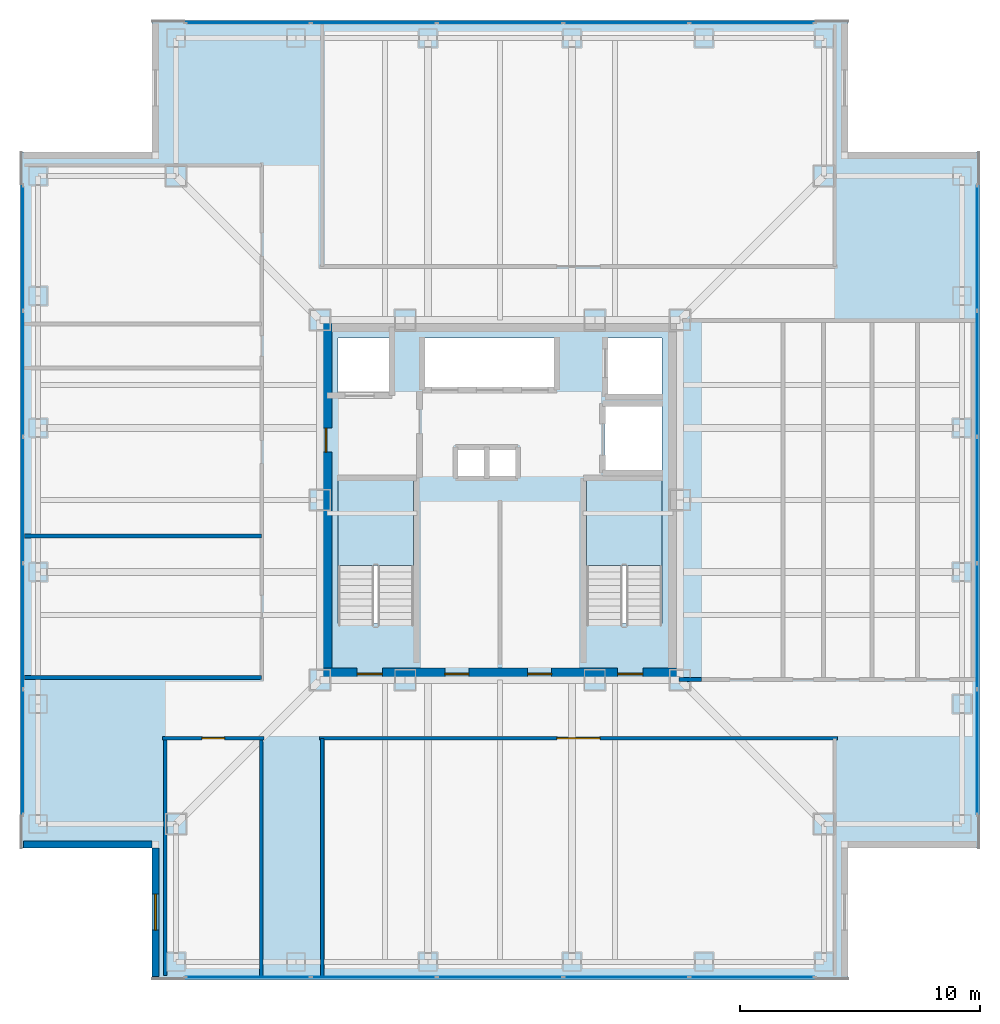
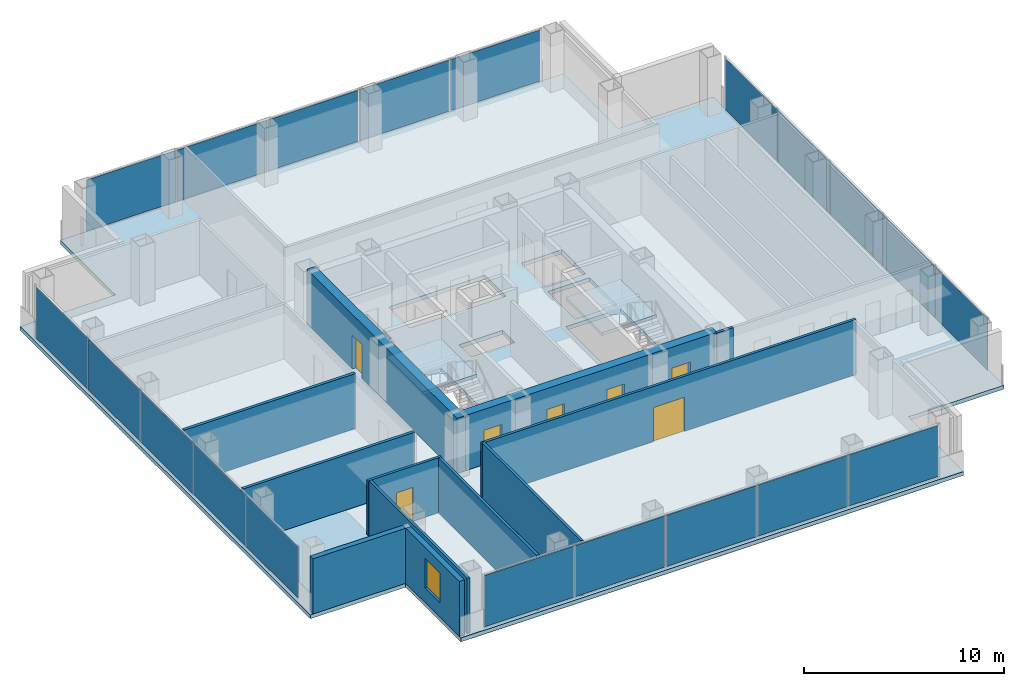
# One storey, part 9 of 17: 20 plates, 12 walls, 7 doors, 3 slabs, 1 window, 8 openings, 6 elements without a shape of their own.
"""IFC4 building model written with IfcOpenShell, lengths in metres."""

import ifcopenshell
import ifcopenshell.guid

model = None  # the IFC model being written
_history = None  # IfcOwnerHistory: only IFC2X3 demands one
_inside = {}  # id of a spatial element -> (the spatial element, [elements in it])
_under = {}  # id of a project, library or spatial element -> (it, [spatial elements below it])
_declared = {}  # id of a project -> (the project, [libraries it declares])
_typed = {}  # id of a type object -> (the type object, [elements of that type])
_made_of = {}  # id of a material, layer set ... -> (it, [elements and type objects made of it])


def new_model(schema):
    """Start an empty IFC model of exactly this schema.

    Asked for "IFC4X3", IfcOpenShell would pick the latest addendum, in which some entities
    have other attributes; the version numbers below select the first issue.
    IFC2X3 requires an IfcOwnerHistory on every rooted entity: one is made here for all.
    """
    global model, _history
    if schema == "IFC4X3":
        model = ifcopenshell.file(schema_version=(4, 3, 0, 0))
    else:
        model = ifcopenshell.file(schema=schema)
    _inside.clear()
    _under.clear()
    _declared.clear()
    _typed.clear()
    _made_of.clear()
    _history = None
    if model.schema == "IFC2X3":
        org = make("IfcOrganization", Name="unknown")
        user = make(
            "IfcPersonAndOrganization",
            ThePerson=make("IfcPerson", FamilyName="unknown"),
            TheOrganization=org,
        )
        app = make(
            "IfcApplication",
            ApplicationDeveloper=org,
            Version="unknown",
            ApplicationFullName="unknown",
            ApplicationIdentifier="unknown",
        )
        _history = make(
            "IfcOwnerHistory",
            OwningUser=user,
            OwningApplication=app,
            ChangeAction="ADDED",
            CreationDate=0,
        )
    return model


def make(cls, **values):
    """One entity of the class cls with the attributes given. An attribute that is None is left unset."""
    return model.create_entity(
        cls, **{name: value for name, value in values.items() if value is not None}
    )


def rooted(cls, **values):
    """An entity with a GlobalId (a new one), such as an element, a storey or a relation."""
    return make(cls, GlobalId=ifcopenshell.guid.new(), OwnerHistory=_history, **values)


def si_unit(unit_type, name, prefix=None):
    """IfcSIUnit, for example si_unit("LENGTHUNIT", "METRE", prefix="MILLI")."""
    return make("IfcSIUnit", UnitType=unit_type, Prefix=prefix, Name=name)


def assignment(units):
    """IfcUnitAssignment: the units of a project."""
    return None if units is None else make("IfcUnitAssignment", Units=units)


def point(xyz):
    """IfcCartesianPoint."""
    return None if xyz is None else make("IfcCartesianPoint", Coordinates=xyz)


def direction(xyz):
    """IfcDirection."""
    return None if xyz is None else make("IfcDirection", DirectionRatios=xyz)


def frame(location, z_axis=None, x_axis=None):
    """IfcAxis2Placement3D, a coordinate frame: its origin and axes. An axis left out is left unset."""
    return make(
        "IfcAxis2Placement3D",
        Location=point(location),
        Axis=direction(z_axis),
        RefDirection=direction(x_axis),
    )


def frame_2d(location, x_axis=None):
    """IfcAxis2Placement2D, a coordinate frame in the plane: its origin and x axis."""
    return make(
        "IfcAxis2Placement2D", Location=point(location), RefDirection=direction(x_axis)
    )


def origin():
    """The frame at (0, 0, 0) with its axes left unset."""
    return frame((0.0, 0.0, 0.0))


def origin_2d():
    """The frame at (0, 0) in the plane with its x axis left unset."""
    return frame_2d((0.0, 0.0))


def place(relative_to, where):
    """IfcLocalPlacement: puts the frame where relative to a parent placement (None: the world)."""
    return make(
        "IfcLocalPlacement", PlacementRelTo=relative_to, RelativePlacement=where
    )


def context(
    kind, dimensions, precision=None, world=None, true_north=None, identifier=None
):
    """IfcGeometricRepresentationContext, for example the 3D "Model" context."""
    return make(
        "IfcGeometricRepresentationContext",
        ContextIdentifier=identifier,
        ContextType=kind,
        CoordinateSpaceDimension=dimensions,
        Precision=precision,
        WorldCoordinateSystem=world,
        TrueNorth=true_north,
    )


def subcontext(parent, identifier, kind, view, scale=None):
    """IfcGeometricRepresentationSubContext, for example "Body" below "Model"."""
    return make(
        "IfcGeometricRepresentationSubContext",
        ContextIdentifier=identifier,
        ContextType=kind,
        ParentContext=parent,
        TargetScale=scale,
        TargetView=view,
    )


def project(units=None, contexts=None):
    """IfcProject with its units and contexts."""
    return rooted(
        "IfcProject",
        Name="project",
        RepresentationContexts=contexts,
        UnitsInContext=assignment(units),
    )


def spatial(cls, under=None, at=None, **own):
    """A site, building, storey or space (cls), placed at a placement, below another one or the project."""
    s = rooted(cls, ObjectPlacement=at, **own)
    if under is not None:
        _under.setdefault(under.id(), (under, []))[1].append(s)
    return s


def polyline(points):
    """IfcPolyline through the points."""
    return make("IfcPolyline", Points=[point(p) for p in points])


def profile(cls, at=None, kind="AREA", **sizes):
    """A parametric profile (cls). Its sizes go by their IFC names, for example OverallWidth=200.0."""
    return make(cls, ProfileType=kind, Position=at, **sizes)


def rectangle(**sizes):
    """IfcRectangleProfileDef."""
    return profile("IfcRectangleProfileDef", **sizes)


def outline(outer, holes=None, kind="AREA"):
    """IfcArbitraryClosedProfileDef: a profile drawn as a closed curve; with holes, ...WithVoids."""
    if holes is None:
        return make("IfcArbitraryClosedProfileDef", ProfileType=kind, OuterCurve=outer)
    return make(
        "IfcArbitraryProfileDefWithVoids",
        ProfileType=kind,
        OuterCurve=outer,
        InnerCurves=holes,
    )


def extrude(swept, where, along, depth):
    """IfcExtrudedAreaSolid: the profile swept, set in the frame where, extruded along a direction by depth."""
    return make(
        "IfcExtrudedAreaSolid",
        SweptArea=swept,
        Position=where,
        ExtrudedDirection=direction(along),
        Depth=depth,
    )


def shape(context_of_items, identifier, shape_type, items):
    """IfcShapeRepresentation: the items that make up one representation, for example the "Body"."""
    return make(
        "IfcShapeRepresentation",
        ContextOfItems=context_of_items,
        RepresentationIdentifier=identifier,
        RepresentationType=shape_type,
        Items=items,
    )


def material(Name=None, Category=None):
    """IfcMaterial."""
    return make("IfcMaterial", Name=Name, Category=Category)


def layer(
    of_material, thickness, ventilated=None, Name=None, Category=None, Priority=None
):
    """IfcMaterialLayer: one layer of a wall or slab, of a material (None: an air gap)."""
    return make(
        "IfcMaterialLayer",
        Material=of_material,
        LayerThickness=thickness,
        IsVentilated=ventilated,
        Name=Name,
        Category=Category,
        Priority=Priority,
    )


def layer_set(layers, Name=None):
    """IfcMaterialLayerSet."""
    return make("IfcMaterialLayerSet", MaterialLayers=layers, LayerSetName=Name)


def made_of(thing, what):
    """Note that an element or type object is made of a material, layer set ...; save() writes the relation."""
    if what is not None:
        _made_of.setdefault(what.id(), (what, []))[1].append(thing)
    return thing


def type_object(cls, material=None, **own):
    """A type object (cls), such as IfcWallType, which elements share."""
    return made_of(rooted(cls, **own), material)


def element(
    cls,
    number,
    at=None,
    inside=None,
    cuts=None,
    type_object=None,
    material=None,
    context=None,
    identifier="Body",
    shape_type=None,
    held_by="IfcProductDefinitionShape",
    body=None,
    shapes=None,
    **own,
):
    """One element of the class cls, such as IfcWall. Its Tag is "e" and its number.

    at: its placement. inside: the storey or other place that contains it. cuts: it is an
    opening in that element (IfcRelVoidsElement). A single representation is given by context,
    identifier, shape_type and body (its items); several are given by shapes. held_by: the class
    of the entity that holds the representations. save() writes the other relations.
    """
    e = rooted(cls, Tag="e%d" % number, ObjectPlacement=at, **own)
    if body is not None:
        shapes = [shape(context, identifier, shape_type, body)]
    if shapes is not None:
        e.Representation = make(held_by, Representations=shapes)
    if inside is not None:
        _inside.setdefault(inside.id(), (inside, []))[1].append(e)
    if cuts is not None:
        rooted(
            "IfcRelVoidsElement", RelatingBuildingElement=cuts, RelatedOpeningElement=e
        )
    if type_object is not None:
        _typed.setdefault(type_object.id(), (type_object, []))[1].append(e)
    return made_of(e, material)


def fill(opening, filler):
    """IfcRelFillsElement: the door or window that sits in an opening."""
    return rooted(
        "IfcRelFillsElement",
        RelatingOpeningElement=opening,
        RelatedBuildingElement=filler,
    )


def aggregate(whole, parts):
    """IfcRelAggregates: a whole, such as a stair, and the parts it consists of."""
    return rooted("IfcRelAggregates", RelatingObject=whole, RelatedObjects=parts)


def save(model, path):
    """Write the relations noted so far, then the file.

    IfcRelAggregates (storeys below a building ...), IfcRelContainedInSpatialStructure (elements
    in a storey), IfcRelDefinesByType, IfcRelAssociatesMaterial and IfcRelDeclares: one each for
    every whole, place, type object, material and project.
    """
    for whole, parts in _under.values():
        aggregate(whole, parts)
    for where, things in _inside.values():
        rooted(
            "IfcRelContainedInSpatialStructure",
            RelatedElements=things,
            RelatingStructure=where,
        )
    for kind, things in _typed.values():
        rooted("IfcRelDefinesByType", RelatedObjects=things, RelatingType=kind)
    for what, things in _made_of.values():
        rooted("IfcRelAssociatesMaterial", RelatedObjects=things, RelatingMaterial=what)
    for by, libraries in _declared.values():
        rooted("IfcRelDeclares", RelatingContext=by, RelatedDefinitions=libraries)
    model.write(path)


model = new_model("IFC4")

# Units and contexts
model_context = context("Model", 3, precision=1e-05, world=origin(), true_north=direction((0.0, 1.0)))
body_context = subcontext(model_context, "Body", "Model", "MODEL_VIEW")
ifc_project = project(units=[si_unit("LENGTHUNIT", "METRE"), si_unit("AREAUNIT", "SQUARE_METRE"), si_unit("VOLUMEUNIT", "CUBIC_METRE"), si_unit("PLANEANGLEUNIT", "RADIAN"), si_unit("MASSUNIT", "GRAM", prefix="KILO")], contexts=[model_context])

# Site, building, storey
site_placement = place(None, origin())
site = spatial("IfcSite", under=ifc_project, at=site_placement, CompositionType="ELEMENT")
building_placement = place(site_placement, origin())
building = spatial("IfcBuilding", under=site, at=building_placement, Name="Trevonay Congress Spire", CompositionType="ELEMENT")
storey_placement = place(building_placement, frame((0.0, 0.0, 209.39990234375)))
storey = spatial("IfcBuildingStorey", under=building, at=storey_placement, Name="L54", CompositionType="ELEMENT", Elevation=209.39990234375)

# Curtain wall, plates
ifc_material_1 = material(Name="Pale Anodised Aluminium EN AW-6063-T6", Category="aluminium")
ifc_layer_1 = layer(ifc_material_1, 0.169921875, Name="Pale Anodised Aluminium EN AW-6063-T6")
ifc_layer_set_1 = layer_set([ifc_layer_1], Name="Pale Anodised Aluminium EN AW-6063-T6")
curtain_wall_type = type_object("IfcCurtainWallType", Name="CW-SYS04-CORP-PALE-METAL", PredefinedType="NOTDEFINED", material=ifc_layer_set_1)
curtain_wall_1_placement = place(storey_placement, origin())
curtain_wall_1 = element("IfcCurtainWall", 1, at=curtain_wall_1_placement, inside=storey, type_object=curtain_wall_type, Name="L54 S unitised curtain wall", PredefinedType="NOTDEFINED")
ifc_material_2 = material(Name="Insulated Low-E Vision Glass IGU", Category="glass")
ifc_layer_2 = layer(ifc_material_2, 0.035888671875, Name="Insulated Low-E Vision Glass IGU")
ifc_layer_set_2 = layer_set([ifc_layer_2], Name="Insulated Low-E Vision Glass IGU")
plate_type = type_object("IfcPlateType", Name="CW-PANEL-IGU36-SILVER", PredefinedType="CURTAIN_PANEL", material=ifc_layer_set_2)
plate_1_placement = place(storey_placement, frame((-10.5048828125, -19.8798828125, 0.1201171875), z_axis=(0.0, 0.0, 1.0), x_axis=(1.0, 0.0, 0.0)))
plate_1 = element("IfcPlate", 2, at=plate_1_placement, type_object=plate_type, Name="CW04 panel 1.1", PredefinedType="CURTAIN_PANEL", context=body_context, shape_type="SweptSolid", body=[
    extrude(rectangle(XDim=5.169921875, YDim=0.035888671875, at=origin_2d()), origin(), (0.0, 0.0, 1.0), 3.1201171875),
])
plate_2_placement = place(storey_placement, frame((-5.260009765625, -19.8798828125, 0.1201171875), z_axis=(0.0, 0.0, 1.0), x_axis=(1.0, 0.0, 0.0)))
plate_2 = element("IfcPlate", 3, at=plate_2_placement, type_object=plate_type, Name="CW04 panel 2.1", PredefinedType="CURTAIN_PANEL", context=body_context, shape_type="SweptSolid", body=[
    extrude(rectangle(XDim=5.199951171875, YDim=0.035888671875, at=origin_2d()), origin(), (0.0, 0.0, 1.0), 3.1201171875),
])
plate_3_placement = place(storey_placement, frame((0.0, -19.8798828125, 0.1201171875), z_axis=(0.0, 0.0, 1.0), x_axis=(1.0, 0.0, 0.0)))
plate_3 = element("IfcPlate", 4, at=plate_3_placement, type_object=plate_type, Name="CW04 panel 3.1", PredefinedType="CURTAIN_PANEL", context=body_context, shape_type="SweptSolid", body=[
    extrude(rectangle(XDim=5.199951171875, YDim=0.035888671875, at=origin_2d()), origin(), (0.0, 0.0, 1.0), 3.1201171875),
])
plate_4_placement = place(storey_placement, frame((5.260009765625, -19.8798828125, 0.1201171875), z_axis=(0.0, 0.0, 1.0), x_axis=(1.0, 0.0, 0.0)))
plate_4 = element("IfcPlate", 5, at=plate_4_placement, type_object=plate_type, Name="CW04 panel 4.1", PredefinedType="CURTAIN_PANEL", context=body_context, shape_type="SweptSolid", body=[
    extrude(rectangle(XDim=5.199951171875, YDim=0.035888671875, at=origin_2d()), origin(), (0.0, 0.0, 1.0), 3.1201171875),
])
plate_5_placement = place(storey_placement, frame((10.5048828125, -19.8798828125, 0.1201171875), z_axis=(0.0, 0.0, 1.0), x_axis=(1.0, 0.0, 0.0)))
plate_5 = element("IfcPlate", 6, at=plate_5_placement, type_object=plate_type, Name="CW04 panel 5.1", PredefinedType="CURTAIN_PANEL", context=body_context, shape_type="SweptSolid", body=[
    extrude(rectangle(XDim=5.169921875, YDim=0.035888671875, at=origin_2d()), origin(), (0.0, 0.0, 1.0), 3.1201171875),
])
aggregate(curtain_wall_1, [plate_1, plate_2, plate_3, plate_4, plate_5])

curtain_wall_2_placement = place(storey_placement, origin())
curtain_wall_2 = element("IfcCurtainWall", 7, at=curtain_wall_2_placement, inside=storey, type_object=curtain_wall_type, Name="L54 N unitised curtain wall", PredefinedType="NOTDEFINED")
plate_6_placement = place(storey_placement, frame((-10.5048828125, 19.8798828125, 0.1201171875), z_axis=(0.0, 0.0, 1.0), x_axis=(1.0, 0.0, 0.0)))
plate_6 = element("IfcPlate", 8, at=plate_6_placement, type_object=plate_type, Name="CW04 panel 1.1", PredefinedType="CURTAIN_PANEL", context=body_context, shape_type="SweptSolid", body=[
    extrude(rectangle(XDim=5.169921875, YDim=0.035888671875, at=origin_2d()), origin(), (0.0, 0.0, 1.0), 3.1201171875),
])
plate_7_placement = place(storey_placement, frame((-5.260009765625, 19.8798828125, 0.1201171875), z_axis=(0.0, 0.0, 1.0), x_axis=(1.0, 0.0, 0.0)))
plate_7 = element("IfcPlate", 9, at=plate_7_placement, type_object=plate_type, Name="CW04 panel 2.1", PredefinedType="CURTAIN_PANEL", context=body_context, shape_type="SweptSolid", body=[
    extrude(rectangle(XDim=5.199951171875, YDim=0.035888671875, at=origin_2d()), origin(), (0.0, 0.0, 1.0), 3.1201171875),
])
plate_8_placement = place(storey_placement, frame((0.0, 19.8798828125, 0.1201171875), z_axis=(0.0, 0.0, 1.0), x_axis=(1.0, 0.0, 0.0)))
plate_8 = element("IfcPlate", 10, at=plate_8_placement, type_object=plate_type, Name="CW04 panel 3.1", PredefinedType="CURTAIN_PANEL", context=body_context, shape_type="SweptSolid", body=[
    extrude(rectangle(XDim=5.199951171875, YDim=0.035888671875, at=origin_2d()), origin(), (0.0, 0.0, 1.0), 3.1201171875),
])
plate_9_placement = place(storey_placement, frame((5.260009765625, 19.8798828125, 0.1201171875), z_axis=(0.0, 0.0, 1.0), x_axis=(1.0, 0.0, 0.0)))
plate_9 = element("IfcPlate", 11, at=plate_9_placement, type_object=plate_type, Name="CW04 panel 4.1", PredefinedType="CURTAIN_PANEL", context=body_context, shape_type="SweptSolid", body=[
    extrude(rectangle(XDim=5.199951171875, YDim=0.035888671875, at=origin_2d()), origin(), (0.0, 0.0, 1.0), 3.1201171875),
])
plate_10_placement = place(storey_placement, frame((10.5048828125, 19.8798828125, 0.1201171875), z_axis=(0.0, 0.0, 1.0), x_axis=(1.0, 0.0, 0.0)))
plate_10 = element("IfcPlate", 12, at=plate_10_placement, type_object=plate_type, Name="CW04 panel 5.1", PredefinedType="CURTAIN_PANEL", context=body_context, shape_type="SweptSolid", body=[
    extrude(rectangle(XDim=5.169921875, YDim=0.035888671875, at=origin_2d()), origin(), (0.0, 0.0, 1.0), 3.1201171875),
])
aggregate(curtain_wall_2, [plate_6, plate_7, plate_8, plate_9, plate_10])

curtain_wall_3_placement = place(storey_placement, origin())
curtain_wall_3 = element("IfcCurtainWall", 13, at=curtain_wall_3_placement, inside=storey, type_object=curtain_wall_type, Name="L54 W unitised curtain wall", PredefinedType="NOTDEFINED")
plate_11_placement = place(storey_placement, frame((-19.8798828125, -10.5048828125, 0.1201171875), z_axis=(0.0, 0.0, 1.0), x_axis=(0.0, 1.0, 0.0)))
plate_11 = element("IfcPlate", 14, at=plate_11_placement, type_object=plate_type, Name="CW04 panel 1.1", PredefinedType="CURTAIN_PANEL", context=body_context, shape_type="SweptSolid", body=[
    extrude(rectangle(XDim=5.169921875, YDim=0.035888671875, at=origin_2d()), origin(), (0.0, 0.0, 1.0), 3.1201171875),
])
plate_12_placement = place(storey_placement, frame((-19.8798828125, -5.260009765625, 0.1201171875), z_axis=(0.0, 0.0, 1.0), x_axis=(0.0, 1.0, 0.0)))
plate_12 = element("IfcPlate", 15, at=plate_12_placement, type_object=plate_type, Name="CW04 panel 2.1", PredefinedType="CURTAIN_PANEL", context=body_context, shape_type="SweptSolid", body=[
    extrude(rectangle(XDim=5.199951171875, YDim=0.035888671875, at=origin_2d()), origin(), (0.0, 0.0, 1.0), 3.1201171875),
])
plate_13_placement = place(storey_placement, frame((-19.8798828125, 0.0, 0.1201171875), z_axis=(0.0, 0.0, 1.0), x_axis=(0.0, 1.0, 0.0)))
plate_13 = element("IfcPlate", 16, at=plate_13_placement, type_object=plate_type, Name="CW04 panel 3.1", PredefinedType="CURTAIN_PANEL", context=body_context, shape_type="SweptSolid", body=[
    extrude(rectangle(XDim=5.199951171875, YDim=0.035888671875, at=origin_2d()), origin(), (0.0, 0.0, 1.0), 3.1201171875),
])
plate_14_placement = place(storey_placement, frame((-19.8798828125, 5.260009765625, 0.1201171875), z_axis=(0.0, 0.0, 1.0), x_axis=(0.0, 1.0, 0.0)))
plate_14 = element("IfcPlate", 17, at=plate_14_placement, type_object=plate_type, Name="CW04 panel 4.1", PredefinedType="CURTAIN_PANEL", context=body_context, shape_type="SweptSolid", body=[
    extrude(rectangle(XDim=5.199951171875, YDim=0.035888671875, at=origin_2d()), origin(), (0.0, 0.0, 1.0), 3.1201171875),
])
plate_15_placement = place(storey_placement, frame((-19.8798828125, 10.5048828125, 0.1201171875), z_axis=(0.0, 0.0, 1.0), x_axis=(0.0, 1.0, 0.0)))
plate_15 = element("IfcPlate", 18, at=plate_15_placement, type_object=plate_type, Name="CW04 panel 5.1", PredefinedType="CURTAIN_PANEL", context=body_context, shape_type="SweptSolid", body=[
    extrude(rectangle(XDim=5.169921875, YDim=0.035888671875, at=origin_2d()), origin(), (0.0, 0.0, 1.0), 3.1201171875),
])
aggregate(curtain_wall_3, [plate_11, plate_12, plate_13, plate_14, plate_15])

curtain_wall_4_placement = place(storey_placement, origin())
curtain_wall_4 = element("IfcCurtainWall", 19, at=curtain_wall_4_placement, inside=storey, type_object=curtain_wall_type, Name="L54 E unitised curtain wall", PredefinedType="NOTDEFINED")
plate_16_placement = place(storey_placement, frame((19.8798828125, -10.5048828125, 0.1201171875), z_axis=(0.0, 0.0, 1.0), x_axis=(0.0, 1.0, 0.0)))
plate_16 = element("IfcPlate", 20, at=plate_16_placement, type_object=plate_type, Name="CW04 panel 1.1", PredefinedType="CURTAIN_PANEL", context=body_context, shape_type="SweptSolid", body=[
    extrude(rectangle(XDim=5.169921875, YDim=0.035888671875, at=origin_2d()), origin(), (0.0, 0.0, 1.0), 3.1201171875),
])
plate_17_placement = place(storey_placement, frame((19.8798828125, -5.260009765625, 0.1201171875), z_axis=(0.0, 0.0, 1.0), x_axis=(0.0, 1.0, 0.0)))
plate_17 = element("IfcPlate", 21, at=plate_17_placement, type_object=plate_type, Name="CW04 panel 2.1", PredefinedType="CURTAIN_PANEL", context=body_context, shape_type="SweptSolid", body=[
    extrude(rectangle(XDim=5.199951171875, YDim=0.035888671875, at=origin_2d()), origin(), (0.0, 0.0, 1.0), 3.1201171875),
])
plate_18_placement = place(storey_placement, frame((19.8798828125, 0.0, 0.1201171875), z_axis=(0.0, 0.0, 1.0), x_axis=(0.0, 1.0, 0.0)))
plate_18 = element("IfcPlate", 22, at=plate_18_placement, type_object=plate_type, Name="CW04 panel 3.1", PredefinedType="CURTAIN_PANEL", context=body_context, shape_type="SweptSolid", body=[
    extrude(rectangle(XDim=5.199951171875, YDim=0.035888671875, at=origin_2d()), origin(), (0.0, 0.0, 1.0), 3.1201171875),
])
plate_19_placement = place(storey_placement, frame((19.8798828125, 5.260009765625, 0.1201171875), z_axis=(0.0, 0.0, 1.0), x_axis=(0.0, 1.0, 0.0)))
plate_19 = element("IfcPlate", 23, at=plate_19_placement, type_object=plate_type, Name="CW04 panel 4.1", PredefinedType="CURTAIN_PANEL", context=body_context, shape_type="SweptSolid", body=[
    extrude(rectangle(XDim=5.199951171875, YDim=0.035888671875, at=origin_2d()), origin(), (0.0, 0.0, 1.0), 3.1201171875),
])
plate_20_placement = place(storey_placement, frame((19.8798828125, 10.5048828125, 0.1201171875), z_axis=(0.0, 0.0, 1.0), x_axis=(0.0, 1.0, 0.0)))
plate_20 = element("IfcPlate", 24, at=plate_20_placement, type_object=plate_type, Name="CW04 panel 5.1", PredefinedType="CURTAIN_PANEL", context=body_context, shape_type="SweptSolid", body=[
    extrude(rectangle(XDim=5.169921875, YDim=0.035888671875, at=origin_2d()), origin(), (0.0, 0.0, 1.0), 3.1201171875),
])
aggregate(curtain_wall_4, [plate_16, plate_17, plate_18, plate_19, plate_20])

# Stair, slab
ifc_material_3 = material(Name="Concrete C40/50", Category="concrete")
stair_type_1 = type_object("IfcStairType", Name="STR-ST-1", PredefinedType="HALF_TURN_STAIR", material=ifc_material_3)
stair_1_placement = place(storey_placement, origin())
stair_1 = element("IfcStair", 25, at=stair_1_placement, inside=storey, type_object=stair_type_1, Name="L54 Protected Exit Stair ST-1", PredefinedType="HALF_TURN_STAIR")
ifc_layer_3 = layer(ifc_material_3, 0.199951171875, Name="Concrete C40/50")
ifc_layer_set_3 = layer_set([ifc_layer_3], Name="Concrete C40/50")
slab_type_1 = type_object("IfcSlabType", Name="SLB-STAIR-LAND-200", PredefinedType="LANDING", material=ifc_layer_set_3)
slab_1_placement = place(storey_placement, frame((0.0, 0.0, 1.60009765625)))
slab_1 = element("IfcSlab", 26, at=slab_1_placement, type_object=slab_type_1, Name="ST-1 landing 1", PredefinedType="LANDING", context=body_context, shape_type="SweptSolid", body=[
    extrude(outline(polyline([(-3.60009765625, -2.72998046875), (-3.60009765625, 0.85009765625), (-6.75, 0.85009765625), (-6.75, -2.72998046875), (-3.60009765625, -2.72998046875)])), origin(), (0.0, 0.0, 1.0), 0.199951171875),
])
aggregate(stair_1, [slab_1])

stair_type_2 = type_object("IfcStairType", Name="STR-ST-2", PredefinedType="HALF_TURN_STAIR", material=ifc_material_3)
stair_2_placement = place(storey_placement, origin())
stair_2 = element("IfcStair", 27, at=stair_2_placement, inside=storey, type_object=stair_type_2, Name="L54 Protected Exit Stair ST-2", PredefinedType="HALF_TURN_STAIR")
slab_2_placement = place(storey_placement, frame((0.0, 0.0, 1.60009765625)))
slab_2 = element("IfcSlab", 28, at=slab_2_placement, type_object=slab_type_1, Name="ST-2 landing 1", PredefinedType="LANDING", context=body_context, shape_type="SweptSolid", body=[
    extrude(outline(polyline([(6.75, -2.72998046875), (6.75, 0.85009765625), (3.60009765625, 0.85009765625), (3.60009765625, -2.72998046875), (6.75, -2.72998046875)])), origin(), (0.0, 0.0, 1.0), 0.199951171875),
])
aggregate(stair_2, [slab_2])

# Slab
ifc_layer_4 = layer(ifc_material_3, 0.239990234375, Name="Concrete C40/50")
ifc_layer_set_4 = layer_set([ifc_layer_4], Name="Concrete C40/50")
slab_type_2 = type_object("IfcSlabType", Name="SLB-TOW2-240", PredefinedType="FLOOR", material=ifc_layer_set_4)
slab_3_placement = place(storey_placement, frame((0.0, 0.0, -0.239990234375)))
element("IfcSlab", 29, at=slab_3_placement, inside=storey, type_object=slab_type_2, Name="L54 structural floor slab", PredefinedType="FLOOR", context=body_context, shape_type="SweptSolid", body=[
    extrude(outline(polyline([(-14.5, -20.0), (14.5, -20.0), (14.5, -14.5), (20.0, -14.5), (20.0, 14.5), (14.5, 14.5), (14.5, 20.0), (-14.5, 20.0), (-14.5, 14.5), (-20.0, 14.5), (-20.0, -14.5), (-14.5, -14.5), (-14.5, -20.0)]), holes=[polyline([(-3.60009765625, -5.14990234375), (-3.60009765625, 0.85009765625), (-6.75, 0.85009765625), (-6.75, -5.14990234375), (-3.60009765625, -5.14990234375)]), polyline([(6.75, -5.14990234375), (6.75, 0.85009765625), (3.60009765625, 0.85009765625), (3.60009765625, -5.14990234375), (6.75, -5.14990234375)]), polyline([(-3.199951171875, 4.64990234375), (2.340087890625, 4.64990234375), (2.340087890625, 6.75), (-3.199951171875, 6.75), (-3.199951171875, 4.64990234375)]), polyline([(-6.75, 4.35009765625), (-4.449951171875, 4.35009765625), (-4.449951171875, 6.75), (-6.75, 6.75), (-6.75, 4.35009765625)]), polyline([(4.449951171875, 4.35009765625), (6.75, 4.35009765625), (6.75, 6.75), (4.449951171875, 6.75), (4.449951171875, 4.35009765625)]), polyline([(4.35009765625, 1.199951171875), (6.75, 1.199951171875), (6.75, 3.949951171875), (4.35009765625, 3.949951171875), (4.35009765625, 1.199951171875)]), polyline([(-1.800048828125, 0.949951171875), (0.699951171875, 0.949951171875), (0.699951171875, 2.14990234375), (-1.800048828125, 2.14990234375), (-1.800048828125, 0.949951171875)])]), origin(), (0.0, 0.0, 1.0), 0.239990234375),
])

# Wall, openings, doors
ifc_material_4 = material(Name="Concrete C50/60", Category="concrete")
ifc_layer_5 = layer(ifc_material_4, 0.5, Name="Concrete C50/60")
ifc_layer_set_5 = layer_set([ifc_layer_5], Name="Concrete C50/60")
wall_type_1 = type_object("IfcWallType", Name="WAL-CORE-500", PredefinedType="SHEAR", material=ifc_layer_set_5)
wall_1_placement = place(storey_placement, frame((-7.5, -7.25, 0.0), z_axis=(0.0, 0.0, 1.0), x_axis=(1.0, 0.0, 0.0)))
wall_1 = element("IfcWall", 30, at=wall_1_placement, inside=storey, type_object=wall_type_1, Name="L54 South structural core shear wall", PredefinedType="SHEAR", context=body_context, shape_type="SweptSolid", body=[
    extrude(rectangle(XDim=15.0, YDim=0.5, at=frame_2d((7.5, 0.0))), origin(), (0.0, 0.0, 1.0), 3.360107421875),
])
opening_1_placement = place(wall_1_placement, frame((1.550048828125, 0.0, 0.0)))
opening_1 = element("IfcOpeningElement", 31, at=opening_1_placement, cuts=wall_1, Name="Opening D05", PredefinedType="OPENING", context=body_context, shape_type="SweptSolid", body=[
    extrude(rectangle(XDim=1.050048828125, YDim=2.080078125, at=frame_2d((0.52490234375, 1.0400390625))), frame((0.0, 0.260009765625, 0.0), z_axis=(0.0, -1.0, 0.0), x_axis=(1.0, 0.0, 0.0)), (0.0, 0.0, 1.0), 0.52001953125),
])
opening_2_placement = place(wall_1_placement, frame((12.39990234375, 0.0, 0.0)))
opening_2 = element("IfcOpeningElement", 32, at=opening_2_placement, cuts=wall_1, Name="Opening D05", PredefinedType="OPENING", context=body_context, shape_type="SweptSolid", body=[
    extrude(rectangle(XDim=1.050048828125, YDim=2.080078125, at=frame_2d((0.52490234375, 1.0400390625))), frame((0.0, 0.260009765625, 0.0), z_axis=(0.0, -1.0, 0.0), x_axis=(1.0, 0.0, 0.0)), (0.0, 0.0, 1.0), 0.52001953125),
])
opening_3_placement = place(wall_1_placement, frame((5.199951171875, 0.0, 0.0)))
opening_3 = element("IfcOpeningElement", 33, at=opening_3_placement, cuts=wall_1, Name="Opening D06", PredefinedType="OPENING", context=body_context, shape_type="SweptSolid", body=[
    extrude(rectangle(XDim=1.0, YDim=2.080078125, at=frame_2d((0.5, 1.0400390625))), frame((0.0, 0.260009765625, 0.0), z_axis=(0.0, -1.0, 0.0), x_axis=(1.0, 0.0, 0.0)), (0.0, 0.0, 1.0), 0.52001953125),
])
opening_4_placement = place(wall_1_placement, frame((8.64990234375, 0.0, 0.0)))
opening_4 = element("IfcOpeningElement", 34, at=opening_4_placement, cuts=wall_1, Name="Opening D06", PredefinedType="OPENING", context=body_context, shape_type="SweptSolid", body=[
    extrude(rectangle(XDim=1.0, YDim=2.080078125, at=frame_2d((0.5, 1.0400390625))), frame((0.0, 0.260009765625, 0.0), z_axis=(0.0, -1.0, 0.0), x_axis=(1.0, 0.0, 0.0)), (0.0, 0.0, 1.0), 0.52001953125),
])
ifc_material_5 = material(Name="Steel ASTM A572 Grade 50", Category="steel")
door_type_1 = type_object("IfcDoorType", Name="DOR-FIRE-100", OperationType="NOTDEFINED", PredefinedType="DOOR", material=ifc_material_5)
door_1_placement = place(opening_3_placement, origin())
door_1 = element("IfcDoor", 35, at=door_1_placement, inside=storey, type_object=door_type_1, Name="L54 South Core Room 1 Door", OperationType="SINGLE_SWING_LEFT", OverallHeight=2.080078125, OverallWidth=1.0, PredefinedType="DOOR", context=body_context, shape_type="SweptSolid", body=[
    extrude(rectangle(XDim=1.0, YDim=2.080078125, at=frame_2d((0.5, 1.0400390625))), frame((0.0, 0.02490234375, 0.0), z_axis=(0.0, -1.0, 0.0), x_axis=(1.0, 0.0, 0.0)), (0.0, 0.0, 1.0), 0.050048828125),
])
fill(opening_3, door_1)
door_2_placement = place(opening_4_placement, origin())
door_2 = element("IfcDoor", 36, at=door_2_placement, inside=storey, type_object=door_type_1, Name="L54 South Core Room 2 Door", OperationType="SINGLE_SWING_RIGHT", OverallHeight=2.080078125, OverallWidth=1.0, PredefinedType="DOOR", context=body_context, shape_type="SweptSolid", body=[
    extrude(rectangle(XDim=1.0, YDim=2.080078125, at=frame_2d((0.5, 1.0400390625))), frame((0.0, 0.02490234375, 0.0), z_axis=(0.0, -1.0, 0.0), x_axis=(1.0, 0.0, 0.0)), (0.0, 0.0, 1.0), 0.050048828125),
])
fill(opening_4, door_2)
door_type_2 = type_object("IfcDoorType", Name="DOR-STAIR-110", OperationType="NOTDEFINED", PredefinedType="DOOR", material=ifc_material_5)
door_3_placement = place(opening_1_placement, origin())
door_3 = element("IfcDoor", 37, at=door_3_placement, inside=storey, type_object=door_type_2, Name="L54 Protected Stair ST-1 Door", OperationType="SINGLE_SWING_RIGHT", OverallHeight=2.080078125, OverallWidth=1.050048828125, PredefinedType="DOOR", context=body_context, shape_type="SweptSolid", body=[
    extrude(rectangle(XDim=1.050048828125, YDim=2.080078125, at=frame_2d((0.52490234375, 1.0400390625))), frame((0.0, 0.02490234375, 0.0), z_axis=(0.0, -1.0, 0.0), x_axis=(1.0, 0.0, 0.0)), (0.0, 0.0, 1.0), 0.050048828125),
])
fill(opening_1, door_3)
door_4_placement = place(opening_2_placement, origin())
door_4 = element("IfcDoor", 38, at=door_4_placement, inside=storey, type_object=door_type_2, Name="L54 Protected Stair ST-2 Door", OperationType="SINGLE_SWING_LEFT", OverallHeight=2.080078125, OverallWidth=1.050048828125, PredefinedType="DOOR", context=body_context, shape_type="SweptSolid", body=[
    extrude(rectangle(XDim=1.050048828125, YDim=2.080078125, at=frame_2d((0.52490234375, 1.0400390625))), frame((0.0, 0.02490234375, 0.0), z_axis=(0.0, -1.0, 0.0), x_axis=(1.0, 0.0, 0.0)), (0.0, 0.0, 1.0), 0.050048828125),
])
fill(opening_2, door_4)

# Wall, opening, door
wall_2_placement = place(storey_placement, frame((-7.25, -7.5, 0.0), z_axis=(0.0, 0.0, 1.0), x_axis=(0.0, 1.0, 0.0)))
wall_2 = element("IfcWall", 39, at=wall_2_placement, inside=storey, type_object=wall_type_1, Name="L54 West structural core shear wall", PredefinedType="SHEAR", context=body_context, shape_type="SweptSolid", body=[
    extrude(rectangle(XDim=15.0, YDim=0.5, at=frame_2d((7.5, 0.0))), origin(), (0.0, 0.0, 1.0), 3.360107421875),
])
opening_5_placement = place(wall_2_placement, frame((9.5, 0.0, 0.0)))
opening_5 = element("IfcOpeningElement", 40, at=opening_5_placement, cuts=wall_2, Name="Opening D06", PredefinedType="OPENING", context=body_context, shape_type="SweptSolid", body=[
    extrude(rectangle(XDim=1.0, YDim=2.080078125, at=frame_2d((0.5, 1.0400390625))), frame((0.0, 0.260009765625, 0.0), z_axis=(0.0, -1.0, 0.0), x_axis=(1.0, 0.0, 0.0)), (0.0, 0.0, 1.0), 0.52001953125),
])
door_5_placement = place(opening_5_placement, origin())
door_5 = element("IfcDoor", 41, at=door_5_placement, inside=storey, type_object=door_type_1, Name="L54 Firefighting Lift Lobby West Corridor Door", OperationType="SINGLE_SWING_RIGHT", OverallHeight=2.080078125, OverallWidth=1.0, PredefinedType="DOOR", context=body_context, shape_type="SweptSolid", body=[
    extrude(rectangle(XDim=1.0, YDim=2.080078125, at=frame_2d((0.5, 1.0400390625))), frame((0.0, 0.02490234375, 0.0), z_axis=(0.0, -1.0, 0.0), x_axis=(1.0, 0.0, 0.0)), (0.0, 0.0, 1.0), 0.050048828125),
])
fill(opening_5, door_5)

ifc_layer_6 = layer(ifc_material_3, 0.14990234375, Name="Concrete C40/50")
ifc_layer_set_6 = layer_set([ifc_layer_6], Name="Concrete C40/50")
wall_type_2 = type_object("IfcWallType", Name="WAL-CORR-150", PredefinedType="PARTITIONING", material=ifc_layer_set_6)
wall_3_placement = place(storey_placement, frame((-14.070068359375, -9.929931640625, 0.0), z_axis=(0.0, 0.0, 1.0), x_axis=(1.0, 0.0, 0.0)))
wall_3 = element("IfcWall", 42, at=wall_3_placement, inside=storey, type_object=wall_type_2, Name="L54 interior wall WP-L54SW-COR", PredefinedType="PARTITIONING", context=body_context, shape_type="SweptSolid", body=[
    extrude(rectangle(XDim=4.239990234375, YDim=0.14990234375, at=frame_2d((2.1201171875, 0.0))), origin(), (0.0, 0.0, 1.0), 3.360107421875),
])
opening_6_placement = place(wall_3_placement, frame((1.64501953125, 0.0, 0.0)))
opening_6 = element("IfcOpeningElement", 43, at=opening_6_placement, cuts=wall_3, Name="Opening D07", PredefinedType="OPENING", context=body_context, shape_type="SweptSolid", body=[
    extrude(rectangle(XDim=0.949951171875, YDim=2.06005859375, at=frame_2d((0.47509765625, 1.030029296875))), frame((0.0, 0.0849609375, 0.0), z_axis=(0.0, -1.0, 0.0), x_axis=(1.0, 0.0, 0.0)), (0.0, 0.0, 1.0), 0.169921875),
])
door_type_3 = type_object("IfcDoorType", Name="DOR-OFFICE-95", OperationType="NOTDEFINED", PredefinedType="DOOR", material=ifc_material_1)
door_6_placement = place(opening_6_placement, origin())
door_6 = element("IfcDoor", 44, at=door_6_placement, inside=storey, type_object=door_type_3, Name="L54 Quiet Meditation Lounge Door", OperationType="SINGLE_SWING_RIGHT", OverallHeight=2.06005859375, OverallWidth=0.949951171875, PredefinedType="DOOR", context=body_context, shape_type="SweptSolid", body=[
    extrude(rectangle(XDim=0.949951171875, YDim=2.06005859375, at=frame_2d((0.47509765625, 1.030029296875))), frame((0.0, 0.02490234375, 0.0), z_axis=(0.0, -1.0, 0.0), x_axis=(1.0, 0.0, 0.0)), (0.0, 0.0, 1.0), 0.050048828125),
])
fill(opening_6, door_6)

wall_4_placement = place(storey_placement, frame((-7.52001953125, -9.929931640625, 0.0), z_axis=(0.0, 0.0, 1.0), x_axis=(1.0, 0.0, 0.0)))
wall_4 = element("IfcWall", 45, at=wall_4_placement, inside=storey, type_object=wall_type_2, Name="L54 interior wall WP-L54SE-COR", PredefinedType="PARTITIONING", context=body_context, shape_type="SweptSolid", body=[
    extrude(rectangle(XDim=21.590087890625, YDim=0.14990234375, at=frame_2d((10.794921875, 0.0))), origin(), (0.0, 0.0, 1.0), 3.360107421875),
])
opening_7_placement = place(wall_4_placement, frame((9.89501953125, 0.0, 0.0)))
opening_7 = element("IfcOpeningElement", 46, at=opening_7_placement, cuts=wall_4, Name="Opening D09", PredefinedType="OPENING", context=body_context, shape_type="SweptSolid", body=[
    extrude(rectangle(XDim=1.800048828125, YDim=2.080078125, at=frame_2d((0.89990234375, 1.0400390625))), frame((0.0, 0.0849609375, 0.0), z_axis=(0.0, -1.0, 0.0), x_axis=(1.0, 0.0, 0.0)), (0.0, 0.0, 1.0), 0.169921875),
])
door_type_4 = type_object("IfcDoorType", Name="DOR-CONF-DBL", OperationType="DOUBLE_DOOR_SINGLE_SWING", PredefinedType="DOOR", material=ifc_material_1)
door_7_placement = place(opening_7_placement, origin())
door_7 = element("IfcDoor", 47, at=door_7_placement, inside=storey, type_object=door_type_4, Name="L54 Members Maritime Reference Library Lounge Door", OperationType="DOUBLE_DOOR_SINGLE_SWING", OverallHeight=2.080078125, OverallWidth=1.800048828125, PredefinedType="DOOR", context=body_context, shape_type="SweptSolid", body=[
    extrude(rectangle(XDim=1.800048828125, YDim=2.080078125, at=frame_2d((0.89990234375, 1.0400390625))), frame((0.0, 0.02490234375, 0.0), z_axis=(0.0, -1.0, 0.0), x_axis=(1.0, 0.0, 0.0)), (0.0, 0.0, 1.0), 0.050048828125),
])
fill(opening_7, door_7)

# Wall
wall_5_placement = place(storey_placement, frame((7.449951171875, -7.47998046875, 0.0), z_axis=(0.0, 0.0, 1.0), x_axis=(1.0, 0.0, 0.0)))
element("IfcWall", 48, at=wall_5_placement, inside=storey, type_object=wall_type_2, Name="L54 interior wall WP-L54E-STUB", PredefinedType="PARTITIONING", context=body_context, shape_type="SweptSolid", body=[
    extrude(rectangle(XDim=0.949951171875, YDim=0.14990234375, at=frame_2d((0.47509765625, 0.0))), origin(), (0.0, 0.0, 1.0), 3.360107421875),
])

# Wall, opening, window
ifc_material_6 = material(Name="Precast concrete C40/50", Category="concrete")
ifc_layer_7 = layer(ifc_material_6, 0.300048828125, Name="Precast concrete C40/50")
ifc_layer_set_7 = layer_set([ifc_layer_7], Name="Precast concrete C40/50")
wall_type_3 = type_object("IfcWallType", Name="WAL-EXT-PRECAST-300", PredefinedType="SOLIDWALL", material=ifc_layer_set_7)
wall_6_placement = place(storey_placement, frame((-14.35009765625, -19.85009765625, 0.0), z_axis=(0.0, 0.0, 1.0), x_axis=(0.0, 1.0, 0.0)))
wall_6 = element("IfcWall", 49, at=wall_6_placement, inside=storey, type_object=wall_type_3, Name="L54 SW re-entrant notch exterior wall 1", PredefinedType="SOLIDWALL", context=body_context, shape_type="SweptSolid", body=[
    extrude(rectangle(XDim=5.35009765625, YDim=0.300048828125, at=frame_2d((2.675048828125, 0.0))), origin(), (0.0, 0.0, 1.0), 3.360107421875),
])
opening_8_placement = place(wall_6_placement, frame((1.925048828125, 0.0, 0.89990234375)))
opening_8 = element("IfcOpeningElement", 50, at=opening_8_placement, cuts=wall_6, Name="Opening WN03", PredefinedType="OPENING", context=body_context, shape_type="SweptSolid", body=[
    extrude(rectangle(XDim=1.5, YDim=1.800048828125, at=frame_2d((0.75, 0.89990234375))), frame((0.0, 0.16015625, 0.0), z_axis=(0.0, -1.0, 0.0), x_axis=(1.0, 0.0, 0.0)), (0.0, 0.0, 1.0), 0.320068359375),
])
window_type = type_object("IfcWindowType", Name="WIN-NOTCH-150X180", PartitioningType="SINGLE_PANEL", PredefinedType="WINDOW", material=ifc_material_2)
window_placement = place(opening_8_placement, origin())
window = element("IfcWindow", 51, at=window_placement, inside=storey, type_object=window_type, Name="L54 SW corner notch window", OverallHeight=1.800048828125, OverallWidth=1.5, PartitioningType="SINGLE_PANEL", PredefinedType="WINDOW", context=body_context, shape_type="SweptSolid", body=[
    extrude(rectangle(XDim=1.5, YDim=1.800048828125, at=frame_2d((0.75, 0.89990234375))), frame((0.0, 0.030029296875, 0.0), z_axis=(0.0, -1.0, 0.0), x_axis=(1.0, 0.0, 0.0)), (0.0, 0.0, 1.0), 0.06005859375),
])
fill(opening_8, window)

# Walls
wall_7_placement = place(storey_placement, frame((-19.85009765625, -14.35009765625, 0.0), z_axis=(0.0, 0.0, 1.0), x_axis=(1.0, 0.0, 0.0)))
element("IfcWall", 52, at=wall_7_placement, inside=storey, type_object=wall_type_3, Name="L54 SW re-entrant notch exterior wall 2", PredefinedType="SOLIDWALL", context=body_context, shape_type="SweptSolid", body=[
    extrude(rectangle(XDim=5.35009765625, YDim=0.300048828125, at=frame_2d((2.675048828125, 0.0))), origin(), (0.0, 0.0, 1.0), 3.360107421875),
])
ifc_layer_8 = layer(ifc_material_3, 0.14990234375, Name="Concrete C40/50")
ifc_layer_set_8 = layer_set([ifc_layer_8], Name="Concrete C40/50")
wall_type_4 = type_object("IfcWallType", Name="WAL-PART-150", PredefinedType="PARTITIONING", material=ifc_layer_set_8)
for number, where, z_axis, x_axis, name in (
    (53, (-13.949951171875, -19.820068359375, 0.0), (0.0, 0.0, 1.0), (0.0, 1.0, 0.0), "L54 interior wall WP-L54SW-DIV1"),
    (54, (-9.949951171875, -19.820068359375, 0.0), (0.0, 0.0, 1.0), (0.0, 1.0, 0.0), "L54 interior wall WP-L54SW-DIV2"),
    (55, (-7.39990234375, -19.820068359375, 0.0), (0.0, 0.0, 1.0), (0.0, 1.0, 0.0), "L54 interior wall WP-L54SE-DIV1"),
):
    element("IfcWall", number, at=place(storey_placement, frame(where, z_axis=z_axis, x_axis=x_axis)), inside=storey, type_object=wall_type_4, Name=name, PredefinedType="PARTITIONING", context=body_context, shape_type="SweptSolid", body=[
        extrude(rectangle(XDim=9.89013671875, YDim=0.14990234375, at=frame_2d((4.945068359375, 0.0))), origin(), (0.0, 0.0, 1.0), 3.360107421875),
    ])
ifc_layer_9 = layer(ifc_material_3, 0.1650390625, Name="Concrete C40/50")
ifc_layer_set_9 = layer_set([ifc_layer_9], Name="Concrete C40/50")
wall_type_5 = type_object("IfcWallType", Name="WAL-WET-165", PredefinedType="PLUMBINGWALL", material=ifc_layer_set_9)
for number, where, z_axis, x_axis, name in (
    (56, (-19.820068359375, -7.39990234375, 0.0), (0.0, 0.0, 1.0), (1.0, 0.0, 0.0), "L54 interior wall WP-L54NW-DIV1"),
    (57, (-19.820068359375, -1.5, 0.0), (0.0, 0.0, 1.0), (1.0, 0.0, 0.0), "L54 interior wall WP-L54NW-DIV2"),
):
    element("IfcWall", number, at=place(storey_placement, frame(where, z_axis=z_axis, x_axis=x_axis)), inside=storey, type_object=wall_type_5, Name=name, PredefinedType="PLUMBINGWALL", context=body_context, shape_type="SweptSolid", body=[
        extrude(rectangle(XDim=9.89013671875, YDim=0.1650390625, at=frame_2d((4.945068359375, 0.0))), origin(), (0.0, 0.0, 1.0), 3.360107421875),
    ])

save(model, "model.ifc")
